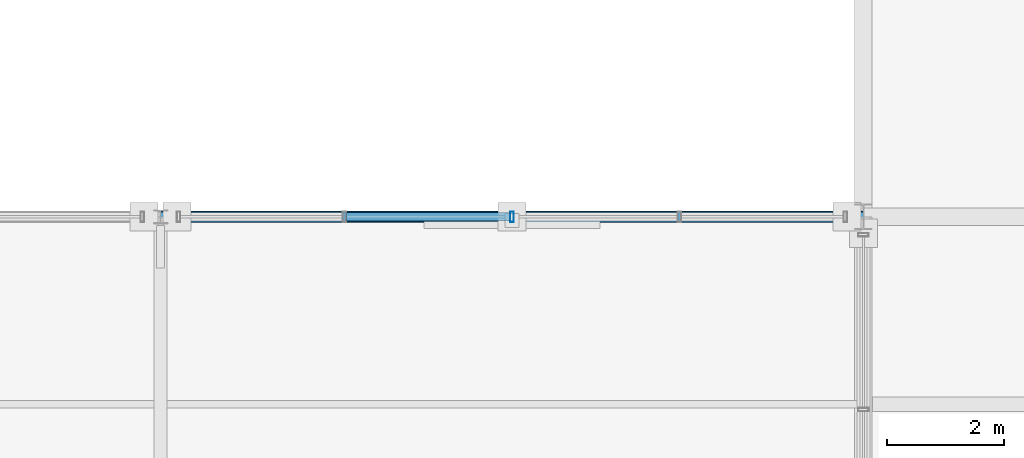
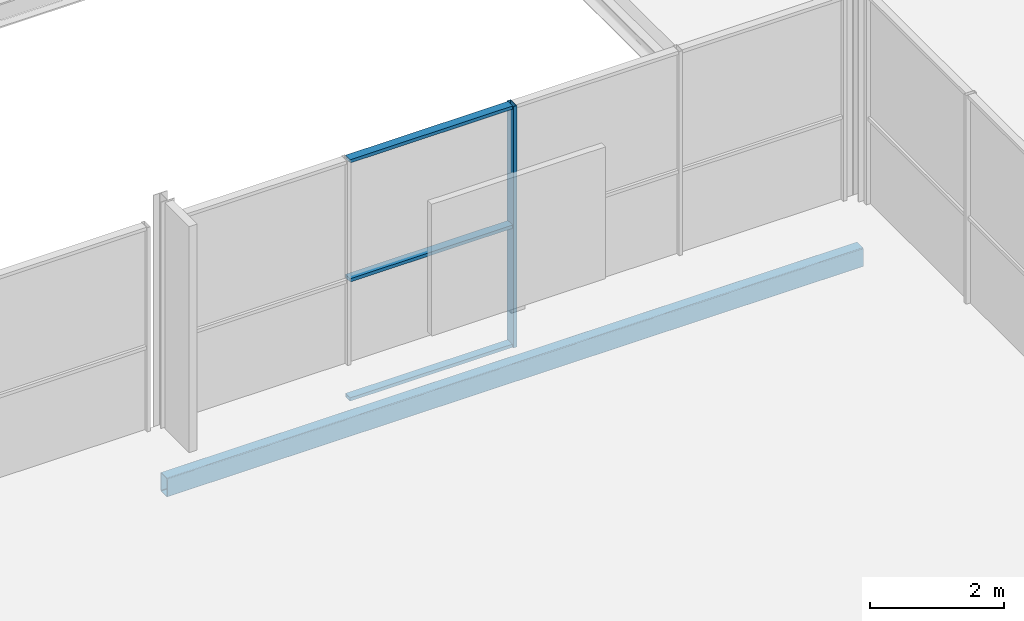
# One storey, part 100 of 159: 4 members, 1 beam, 1 element without a shape of its own.
"""IFC4 building model written with IfcOpenShell, lengths in metres."""

from ifc_helpers import new_model, si_unit, direction, frame, origin, origin_2d, place, context, subcontext, project, spatial, hollow_rectangle, extrude, material, material_profile, profile_set, type_object, element, aggregate, save


model = new_model("IFC4")

# Units and contexts
model_context = context("Model", 3, precision=1e-05, world=origin(), true_north=direction((0.0, 1.0)))
body_context = subcontext(model_context, "Body", "Model", "MODEL_VIEW")
ifc_project = project(units=[si_unit("LENGTHUNIT", "METRE"), si_unit("AREAUNIT", "SQUARE_METRE"), si_unit("VOLUMEUNIT", "CUBIC_METRE"), si_unit("PLANEANGLEUNIT", "RADIAN"), si_unit("MASSUNIT", "GRAM", prefix="KILO")], contexts=[model_context])

# Site, building, storey
site_placement = place(None, origin())
site = spatial("IfcSite", under=ifc_project, at=site_placement, CompositionType="ELEMENT")
building_placement = place(site_placement, origin())
building = spatial("IfcBuilding", under=site, at=building_placement, Name="Merenkruunu Market Hall", CompositionType="ELEMENT")
storey_placement = place(building_placement, frame((0.0, 0.0, 5.39990234375)))
storey = spatial("IfcBuildingStorey", under=building, at=storey_placement, Name="L01", CompositionType="ELEMENT", Elevation=5.39990234375)

# Curtain wall, members
ifc_material_1 = material(Name="Powder-coated aluminium", Category="aluminium")
curtain_wall_type = type_object("IfcCurtainWallType", Name="Glazed Curtain Wall CW02", PredefinedType="USERDEFINED", material=ifc_material_1)
curtain_wall_placement = place(storey_placement, origin())
curtain_wall = element("IfcCurtainWall", 1, at=curtain_wall_placement, inside=storey, type_object=curtain_wall_type, Name="CW-L01-CWM02-199", ObjectType="GLAZED_FACADE", PredefinedType="USERDEFINED")
ifc_material_profile_1 = material_profile(ifc_material_1, hollow_rectangle(XDim=0.06005859375, YDim=0.179931640625, WallThickness=0.00390625, at=origin_2d()), Name="ALU 60x180x4")
ifc_profile_set_1 = profile_set([ifc_material_profile_1], Name="Powder-coated aluminium")
member_type_1 = type_object("IfcMemberType", Name="Curtain Wall Mullion CWM02", PredefinedType="MULLION", material=ifc_profile_set_1)
member_1_placement = place(storey_placement, frame((142.800048828125, 15.60009765625, 0.0), z_axis=(0.0, 0.0, 1.0), x_axis=(-1.0, 0.0, 0.0)))
member_1 = element("IfcMember", 2, at=member_1_placement, type_object=member_type_1, Name="CW02 mullion 3", PredefinedType="MULLION", context=body_context, shape_type="SweptSolid", body=[
    extrude(hollow_rectangle(XDim=0.06005859375, YDim=0.179931640625, WallThickness=0.00390625, at=origin_2d()), origin(), (0.0, 0.0, 1.0), 4.400146484375),
])
ifc_material_profile_2 = material_profile(ifc_material_1, hollow_rectangle(XDim=0.06005859375, YDim=0.139892578125, WallThickness=0.00390625, at=origin_2d()), Name="ALU 60x140x4")
ifc_profile_set_2 = profile_set([ifc_material_profile_2], Name="Powder-coated aluminium")
member_type_2 = type_object("IfcMemberType", Name="Curtain Wall Transom CWT02", PredefinedType="USERDEFINED", material=ifc_profile_set_2)
member_2_placement = place(storey_placement, frame((142.77001953125, 15.60009765625, 0.030029296875), z_axis=(-1.0, 0.0, 0.0), x_axis=(0.0, 0.0, 1.0)))
member_2 = element("IfcMember", 3, at=member_2_placement, type_object=member_type_2, Name="CW02 transom 3.1", ObjectType="TRANSOM", PredefinedType="USERDEFINED", context=body_context, shape_type="SweptSolid", body=[
    extrude(hollow_rectangle(XDim=0.06005859375, YDim=0.139892578125, WallThickness=0.00390625, at=origin_2d()), origin(), (0.0, 0.0, 1.0), 2.800048828125),
])
member_3_placement = place(storey_placement, frame((142.77001953125, 15.60009765625, 2.2001953125), z_axis=(-1.0, 0.0, 0.0), x_axis=(0.0, 0.0, 1.0)))
member_3 = element("IfcMember", 4, at=member_3_placement, type_object=member_type_2, Name="CW02 transom 3.2", ObjectType="TRANSOM", PredefinedType="USERDEFINED", context=body_context, shape_type="SweptSolid", body=[
    extrude(hollow_rectangle(XDim=0.06005859375, YDim=0.139892578125, WallThickness=0.00390625, at=origin_2d()), origin(), (0.0, 0.0, 1.0), 2.800048828125),
])
member_4_placement = place(storey_placement, frame((142.77001953125, 15.60009765625, 4.3701171875), z_axis=(-1.0, 0.0, 0.0), x_axis=(0.0, 0.0, 1.0)))
member_4 = element("IfcMember", 5, at=member_4_placement, type_object=member_type_2, Name="CW02 transom 3.3", ObjectType="TRANSOM", PredefinedType="USERDEFINED", context=body_context, shape_type="SweptSolid", body=[
    extrude(hollow_rectangle(XDim=0.06005859375, YDim=0.139892578125, WallThickness=0.00390625, at=origin_2d()), origin(), (0.0, 0.0, 1.0), 2.800048828125),
])
aggregate(curtain_wall, [member_1, member_2, member_3, member_4])

# Beam
ifc_material_2 = material(Name="Steel S355J2", Category="steel")
ifc_material_profile_3 = material_profile(ifc_material_2, hollow_rectangle(XDim=0.199951171875, YDim=0.35009765625, WallThickness=0.012451171875, InnerFilletRadius=0.012451171875, OuterFilletRadius=0.02490234375, at=origin_2d()), Name="RHS 350x200x12.5")
ifc_profile_set_3 = profile_set([ifc_material_profile_3], Name="Steel S355J2")
beam_type = type_object("IfcBeamType", Name="Perimeter Spandrel Beam SP02", PredefinedType="SPANDREL", material=ifc_profile_set_3)
beam_placement = place(storey_placement, frame((136.800048828125, 15.60009765625, -0.454833984375), z_axis=(1.0, 0.0, 0.0), x_axis=(0.0, 1.0, 0.0)))
element("IfcBeam", 6, at=beam_placement, inside=storey, type_object=beam_type, Name="BM-L01-SP02-1209", PredefinedType="SPANDREL", context=body_context, shape_type="SweptSolid", body=[
    extrude(hollow_rectangle(XDim=0.199951171875, YDim=0.35009765625, WallThickness=0.012451171875, InnerFilletRadius=0.012451171875, OuterFilletRadius=0.02490234375, at=origin_2d()), origin(), (0.0, 0.0, 1.0), 12.0),
])

save(model, "model.ifc")
